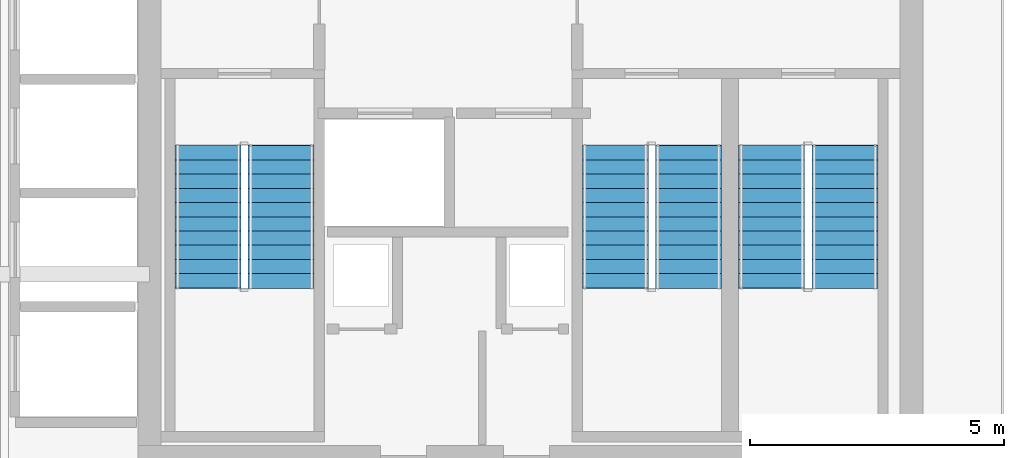
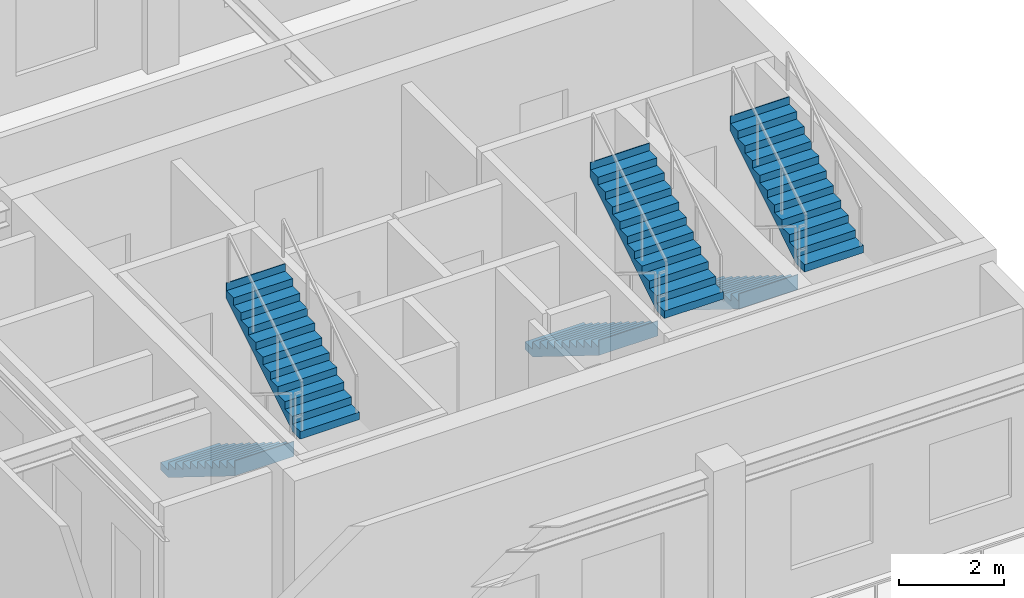
# One storey, part 5 of 7: 6 stair flights, 3 elements without a shape of their own.
"""IFC4 building model written with IfcOpenShell, lengths in metres."""

from ifc_helpers import new_model, si_unit, derived_unit, direction, frame, origin, place, context, subcontext, project, spatial, polyline, outline, extrude, source, transform, mapped, material, layer, layer_set, type_object, element, aggregate, save


model = new_model("IFC4")

# Units and contexts
model_context = context("Model", 3, precision=1e-05, world=origin(), true_north=direction((0.0, 1.0)))
body_context = subcontext(model_context, "Body", "Model", "MODEL_VIEW")
ifc_project = project(units=[si_unit("LENGTHUNIT", "METRE"), si_unit("AREAUNIT", "SQUARE_METRE"), si_unit("VOLUMEUNIT", "CUBIC_METRE"), si_unit("PLANEANGLEUNIT", "RADIAN"), si_unit("MASSUNIT", "GRAM", prefix="KILO"), si_unit("THERMODYNAMICTEMPERATUREUNIT", "KELVIN"), si_unit("POWERUNIT", "WATT"), derived_unit("THERMALTRANSMITTANCEUNIT", [(si_unit("POWERUNIT", "WATT"), 1), (si_unit("AREAUNIT", "SQUARE_METRE"), -1), (si_unit("THERMODYNAMICTEMPERATUREUNIT", "KELVIN"), -1)])], contexts=[model_context])

# Site, building, storey
site_placement = place(None, origin())
site = spatial("IfcSite", under=ifc_project, at=site_placement, CompositionType="ELEMENT")
building_placement = place(site_placement, origin())
building = spatial("IfcBuilding", under=site, at=building_placement, Name="Zahravan Archway Hotel and Residences", CompositionType="ELEMENT")
storey_placement = place(building_placement, frame((0.0, 0.0, 275.050048828125)))
storey = spatial("IfcBuildingStorey", under=building, at=storey_placement, Name="L69", CompositionType="ELEMENT", Elevation=275.050048828125)

# Stair, stair flights
ifc_material = material(Name="Concrete C50/60", Category="concrete")
stair_type = type_object("IfcStairType", Name="STR-CORE-1300", PredefinedType="HALF_TURN_STAIR", material=ifc_material)
stair_1_placement = place(storey_placement, origin())
stair_1 = element("IfcStair", 1, at=stair_1_placement, inside=storey, type_object=stair_type, Name="L69 Core A Exit Stair 1", PredefinedType="HALF_TURN_STAIR")
ifc_layer = layer(ifc_material, 0.199951171875, Name="Concrete C50/60", Category="concrete")
ifc_layer_set = layer_set([ifc_layer], Name="Concrete C50/60")
stair_flight_type = type_object("IfcStairFlightType", Name="SFL-CORE-1300", PredefinedType="STRAIGHT", material=ifc_layer_set)
shared_shape = source(origin(), body_context, "Body", "SweptSolid", [
    extrude(outline(polyline([(-0.01611328125, 0.0), (-0.01611328125, 0.175048828125), (0.280029296875, 0.175048828125), (0.280029296875, 0.35009765625), (0.56005859375, 0.35009765625), (0.56005859375, 0.52490234375), (0.840087890625, 0.52490234375), (0.840087890625, 0.699951171875), (1.1201171875, 0.699951171875), (1.1201171875, 0.875), (1.39990234375, 0.875), (1.39990234375, 1.050048828125), (1.679931640625, 1.050048828125), (1.679931640625, 1.22509765625), (1.9599609375, 1.22509765625), (1.9599609375, 1.39990234375), (2.239990234375, 1.39990234375), (2.239990234375, 1.574951171875), (2.52001953125, 1.574951171875), (2.52001953125, 1.75), (2.800048828125, 1.75), (2.800048828125, 1.925048828125), (2.816162109375, 1.925048828125), (2.816162109375, 1.5732421875), (0.28271484375, 0.0), (-0.01611328125, 0.0)])), frame((0.0, 0.64990234375, 0.0), z_axis=(0.0, -1.0, 0.0), x_axis=(1.0, 0.0, 0.0)), (0.0, 0.0, 1.0), 1.300048828125),
])
stair_flight_1_placement = place(storey_placement, frame((35.949951171875, 9.72998046875, 0.0), z_axis=(0.0, 0.0, 1.0), x_axis=(0.0, -1.0, 0.0)))
stair_flight_1 = element("IfcStairFlight", 2, at=stair_flight_1_placement, type_object=stair_flight_type, Name="ST-A1 flight 1", NumberOfRisers=11, NumberOfTreads=10, PredefinedType="STRAIGHT", RiserHeight=0.175, TreadLength=0.28, context=body_context, shape_type="MappedRepresentation", body=[
    mapped(shared_shape, transform((0.0, 0.0, 0.0), scale=1.0)),
])
stair_flight_2_placement = place(storey_placement, frame((37.389892578125, 6.929931640625, 1.925048828125), z_axis=(0.0, 0.0, 1.0), x_axis=(0.0, 1.0, 0.0)))
stair_flight_2 = element("IfcStairFlight", 3, at=stair_flight_2_placement, type_object=stair_flight_type, Name="ST-A1 flight 2", NumberOfRisers=11, NumberOfTreads=10, PredefinedType="STRAIGHT", RiserHeight=0.175, TreadLength=0.28, context=body_context, shape_type="MappedRepresentation", body=[
    mapped(shared_shape, transform((0.0, 0.0, 0.0), scale=1.0)),
])
aggregate(stair_1, [stair_flight_1, stair_flight_2])

stair_2_placement = place(storey_placement, origin())
stair_2 = element("IfcStair", 4, at=stair_2_placement, inside=storey, type_object=stair_type, Name="L69 Core A Exit Stair 2", PredefinedType="HALF_TURN_STAIR")
stair_flight_3_placement = place(storey_placement, frame((43.969970703125, 9.72998046875, 0.0), z_axis=(0.0, 0.0, 1.0), x_axis=(0.0, -1.0, 0.0)))
stair_flight_3 = element("IfcStairFlight", 5, at=stair_flight_3_placement, type_object=stair_flight_type, Name="ST-A2 flight 1", NumberOfRisers=11, NumberOfTreads=10, PredefinedType="STRAIGHT", RiserHeight=0.175, TreadLength=0.28, context=body_context, shape_type="MappedRepresentation", body=[
    mapped(shared_shape, transform((0.0, 0.0, 0.0), scale=1.0)),
])
stair_flight_4_placement = place(storey_placement, frame((45.409912109375, 6.929931640625, 1.925048828125), z_axis=(0.0, 0.0, 1.0), x_axis=(0.0, 1.0, 0.0)))
stair_flight_4 = element("IfcStairFlight", 6, at=stair_flight_4_placement, type_object=stair_flight_type, Name="ST-A2 flight 2", NumberOfRisers=11, NumberOfTreads=10, PredefinedType="STRAIGHT", RiserHeight=0.175, TreadLength=0.28, context=body_context, shape_type="MappedRepresentation", body=[
    mapped(shared_shape, transform((0.0, 0.0, 0.0), scale=1.0)),
])
aggregate(stair_2, [stair_flight_3, stair_flight_4])

stair_3_placement = place(storey_placement, origin())
stair_3 = element("IfcStair", 7, at=stair_3_placement, inside=storey, type_object=stair_type, Name="L69 Core A Exit Stair 3", PredefinedType="HALF_TURN_STAIR")
stair_flight_5_placement = place(storey_placement, frame((47.050048828125, 9.72998046875, 0.0), z_axis=(0.0, 0.0, 1.0), x_axis=(0.0, -1.0, 0.0)))
stair_flight_5 = element("IfcStairFlight", 8, at=stair_flight_5_placement, type_object=stair_flight_type, Name="ST-A3 flight 1", NumberOfRisers=11, NumberOfTreads=10, PredefinedType="STRAIGHT", RiserHeight=0.175, TreadLength=0.28, context=body_context, shape_type="MappedRepresentation", body=[
    mapped(shared_shape, transform((0.0, 0.0, 0.0), scale=1.0)),
])
stair_flight_6_placement = place(storey_placement, frame((48.489990234375, 6.929931640625, 1.925048828125), z_axis=(0.0, 0.0, 1.0), x_axis=(0.0, 1.0, 0.0)))
stair_flight_6 = element("IfcStairFlight", 9, at=stair_flight_6_placement, type_object=stair_flight_type, Name="ST-A3 flight 2", NumberOfRisers=11, NumberOfTreads=10, PredefinedType="STRAIGHT", RiserHeight=0.175, TreadLength=0.28, context=body_context, shape_type="MappedRepresentation", body=[
    mapped(shared_shape, transform((0.0, 0.0, 0.0), scale=1.0)),
])
aggregate(stair_3, [stair_flight_5, stair_flight_6])

save(model, "model.ifc")
